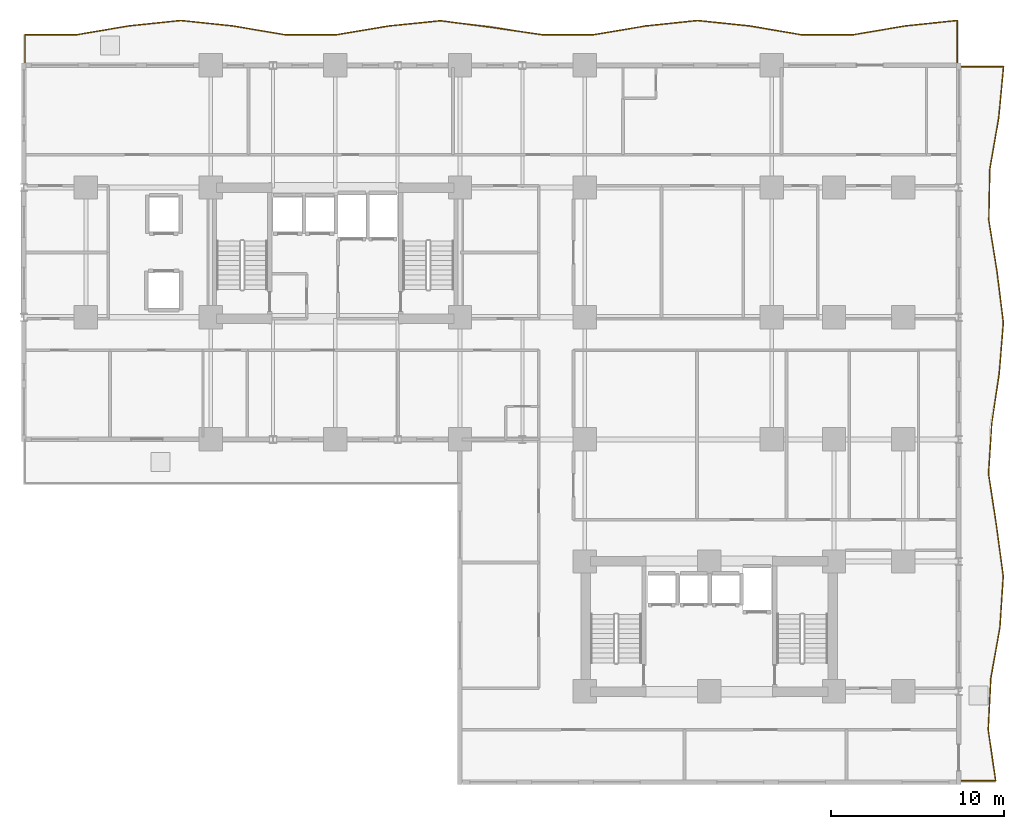
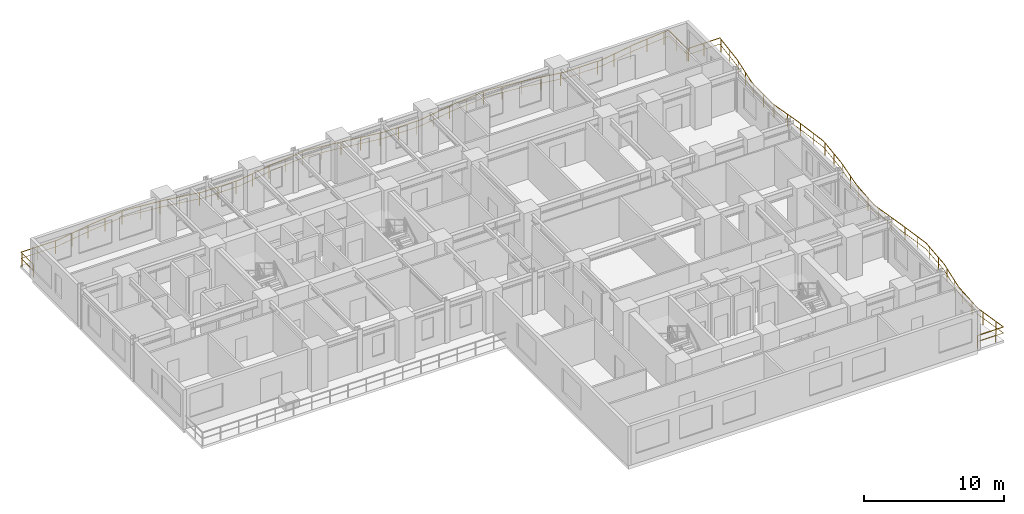
# One storey, part 11 of 11: 2 railings.
"""IFC4 building model written with IfcOpenShell, lengths in metres."""

from ifc_helpers import new_model, si_unit, direction, frame, origin, origin_2d, place, context, subcontext, project, spatial, rectangle, extrude, material, type_object, element, save


model = new_model("IFC4")

# Units and contexts
model_context = context("Model", 3, precision=1e-05, world=origin(), true_north=direction((0.0, 1.0)))
body_context = subcontext(model_context, "Body", "Model", "MODEL_VIEW")
ifc_project = project(units=[si_unit("LENGTHUNIT", "METRE"), si_unit("AREAUNIT", "SQUARE_METRE"), si_unit("VOLUMEUNIT", "CUBIC_METRE"), si_unit("PLANEANGLEUNIT", "RADIAN"), si_unit("MASSUNIT", "GRAM", prefix="KILO")], contexts=[model_context])

# Site, building, storey
site_placement = place(None, origin())
site = spatial("IfcSite", under=ifc_project, at=site_placement, CompositionType="ELEMENT")
building_placement = place(site_placement, origin())
building = spatial("IfcBuilding", under=site, at=building_placement, Name="Kaliganga Portal Commons", CompositionType="ELEMENT")
storey_placement = place(building_placement, frame((0.0, 0.0, 25.300048828125)))
storey = spatial("IfcBuildingStorey", under=building, at=storey_placement, Name="L05", CompositionType="ELEMENT", Elevation=25.300048828125)

# Railings
ifc_material = material(Name="Laminated Safety Glass and Stainless Steel 316", Category="steel")
railing_type = type_object("IfcRailingType", Name="RLG-BAL-1150", PredefinedType="BALUSTRADE", material=ifc_material)
railing_1_placement = place(storey_placement, frame((57.520263671875, 43.205810546875, 0.0)))
element("IfcRailing", 1, at=railing_1_placement, inside=storey, type_object=railing_type, Name="Balcony Guardrail L05 balc_north", PredefinedType="BALUSTRADE", context=body_context, shape_type="SweptSolid", body=[
    extrude(rectangle(XDim=0.048095703125, YDim=0.048095703125, at=origin_2d()), frame((0.0, 0.0, 1.1259765625), z_axis=(-9.4179694e-05, 0.999999995565, 0.0), x_axis=(-0.999999995565, -9.4179694e-05, 0.0)), (0.0, 0.0, 1.0), 2.59228515625),
    extrude(rectangle(XDim=0.028076171875, YDim=0.028076171875, at=origin_2d()), frame((0.0, 0.0, 0.597900390625), z_axis=(-9.4179694e-05, 0.999999995565, 0.0), x_axis=(-0.999999995565, -9.4179694e-05, 0.0)), (0.0, 0.0, 1.0), 2.59228515625),
    extrude(rectangle(XDim=0.048095703125, YDim=0.048095703125, at=origin_2d()), frame((-0.000244140625, 2.59228515625, 1.1259765625), z_axis=(-0.994534683851, -0.104406717299, 0.0), x_axis=(0.104406717299, -0.994534683851, 0.0)), (0.0, 0.0, 1.0), 3.0166015625),
    extrude(rectangle(XDim=0.028076171875, YDim=0.028076171875, at=origin_2d()), frame((-0.000244140625, 2.59228515625, 0.597900390625), z_axis=(-0.994534683851, -0.104406717299, 0.0), x_axis=(0.104406717299, -0.994534683851, 0.0)), (0.0, 0.0, 1.0), 3.0166015625),
    extrude(rectangle(XDim=0.048095703125, YDim=0.048095703125, at=origin_2d()), frame((-3.000244140625, 2.27734375, 1.1259765625), z_axis=(-0.98592152425, -0.167208696007, 0.0), x_axis=(0.167208696007, -0.98592152425, 0.0)), (0.0, 0.0, 1.0), 3.042724609375),
    extrude(rectangle(XDim=0.028076171875, YDim=0.028076171875, at=origin_2d()), frame((-3.000244140625, 2.27734375, 0.597900390625), z_axis=(-0.98592152425, -0.167208696007, 0.0), x_axis=(0.167208696007, -0.98592152425, 0.0)), (0.0, 0.0, 1.0), 3.042724609375),
    extrude(rectangle(XDim=0.048095703125, YDim=0.048095703125, at=origin_2d()), frame((-6.000244140625, 1.7685546875, 1.1259765625), z_axis=(-1.0, 0.0, 0.0), x_axis=(0.0, -1.0, 0.0)), (0.0, 0.0, 1.0), 3.0),
    extrude(rectangle(XDim=0.028076171875, YDim=0.028076171875, at=origin_2d()), frame((-6.000244140625, 1.7685546875, 0.597900390625), z_axis=(-1.0, 0.0, 0.0), x_axis=(0.0, -1.0, 0.0)), (0.0, 0.0, 1.0), 3.0),
    extrude(rectangle(XDim=0.048095703125, YDim=0.048095703125, at=origin_2d()), frame((-9.000244140625, 1.7685546875, 1.1259765625), z_axis=(-0.985961179172, 0.166974708159, 0.0), x_axis=(-0.166974708159, -0.985961179172, 0.0)), (0.0, 0.0, 1.0), 3.042724609375),
    extrude(rectangle(XDim=0.028076171875, YDim=0.028076171875, at=origin_2d()), frame((-9.000244140625, 1.7685546875, 0.597900390625), z_axis=(-0.985961179172, 0.166974708159, 0.0), x_axis=(-0.166974708159, -0.985961179172, 0.0)), (0.0, 0.0, 1.0), 3.042724609375),
    extrude(rectangle(XDim=0.048095703125, YDim=0.048095703125, at=origin_2d()), frame((-12.000244140625, 2.276611328125, 1.1259765625), z_axis=(-0.994593357576, 0.103846295391, 0.0), x_axis=(-0.103846295391, -0.994593357576, 0.0)), (0.0, 0.0, 1.0), 3.016357421875),
    extrude(rectangle(XDim=0.028076171875, YDim=0.028076171875, at=origin_2d()), frame((-12.000244140625, 2.276611328125, 0.597900390625), z_axis=(-0.994593357576, 0.103846295391, 0.0), x_axis=(-0.103846295391, -0.994593357576, 0.0)), (0.0, 0.0, 1.0), 3.016357421875),
    extrude(rectangle(XDim=0.048095703125, YDim=0.048095703125, at=origin_2d()), frame((-15.000244140625, 2.58984375, 1.1259765625), z_axis=(-0.994551479288, -0.104246606879, 0.0), x_axis=(0.104246606879, -0.994551479288, 0.0)), (0.0, 0.0, 1.0), 3.016357421875),
    extrude(rectangle(XDim=0.028076171875, YDim=0.028076171875, at=origin_2d()), frame((-15.000244140625, 2.58984375, 0.597900390625), z_axis=(-0.994551479288, -0.104246606879, 0.0), x_axis=(0.104246606879, -0.994551479288, 0.0)), (0.0, 0.0, 1.0), 3.016357421875),
    extrude(rectangle(XDim=0.048095703125, YDim=0.048095703125, at=origin_2d()), frame((-18.000244140625, 2.275390625, 1.1259765625), z_axis=(-0.986106132513, -0.166116511581, 0.0), x_axis=(0.166116511581, -0.986106132513, 0.0)), (0.0, 0.0, 1.0), 3.042236328125),
    extrude(rectangle(XDim=0.028076171875, YDim=0.028076171875, at=origin_2d()), frame((-18.000244140625, 2.275390625, 0.597900390625), z_axis=(-0.986106132513, -0.166116511581, 0.0), x_axis=(0.166116511581, -0.986106132513, 0.0)), (0.0, 0.0, 1.0), 3.042236328125),
    extrude(rectangle(XDim=0.048095703125, YDim=0.048095703125, at=origin_2d()), frame((-21.000244140625, 1.77001953125, 1.1259765625), z_axis=(-0.999999788072, 0.000651041529, 0.0), x_axis=(-0.000651041529, -0.999999788072, 0.0)), (0.0, 0.0, 1.0), 3.0),
    extrude(rectangle(XDim=0.028076171875, YDim=0.028076171875, at=origin_2d()), frame((-21.000244140625, 1.77001953125, 0.597900390625), z_axis=(-0.999999788072, 0.000651041529, 0.0), x_axis=(-0.000651041529, -0.999999788072, 0.0)), (0.0, 0.0, 1.0), 3.0),
    extrude(rectangle(XDim=0.048095703125, YDim=0.048095703125, at=origin_2d()), frame((-24.000244140625, 1.77197265625, 1.1259765625), z_axis=(-0.989499481074, 0.144536420856, 0.0), x_axis=(-0.144536420856, -0.989499481074, 0.0)), (0.0, 0.0, 1.0), 2.950927734375),
    extrude(rectangle(XDim=0.028076171875, YDim=0.028076171875, at=origin_2d()), frame((-24.000244140625, 1.77197265625, 0.597900390625), z_axis=(-0.989499481074, 0.144536420856, 0.0), x_axis=(-0.144536420856, -0.989499481074, 0.0)), (0.0, 0.0, 1.0), 2.950927734375),
    extrude(rectangle(XDim=0.048095703125, YDim=0.048095703125, at=origin_2d()), frame((-26.920166015625, 2.198486328125, 1.1259765625), z_axis=(-0.991718734867, 0.128428777596, 0.0), x_axis=(-0.128428777596, -0.991718734867, 0.0)), (0.0, 0.0, 1.0), 2.946533203125),
    extrude(rectangle(XDim=0.028076171875, YDim=0.028076171875, at=origin_2d()), frame((-26.920166015625, 2.198486328125, 0.597900390625), z_axis=(-0.991718734867, 0.128428777596, 0.0), x_axis=(-0.128428777596, -0.991718734867, 0.0)), (0.0, 0.0, 1.0), 2.946533203125),
    extrude(rectangle(XDim=0.048095703125, YDim=0.048095703125, at=origin_2d()), frame((-29.84228515625, 2.576904296875, 1.1259765625), z_axis=(-0.994932359865, -0.100546503143, 0.0), x_axis=(0.100546503143, -0.994932359865, 0.0)), (0.0, 0.0, 1.0), 3.013427734375),
    extrude(rectangle(XDim=0.028076171875, YDim=0.028076171875, at=origin_2d()), frame((-29.84228515625, 2.576904296875, 0.597900390625), z_axis=(-0.994932359865, -0.100546503143, 0.0), x_axis=(0.100546503143, -0.994932359865, 0.0)), (0.0, 0.0, 1.0), 3.013427734375),
    extrude(rectangle(XDim=0.048095703125, YDim=0.048095703125, at=origin_2d()), frame((-32.84033203125, 2.27392578125, 1.1259765625), z_axis=(-0.986145542963, -0.165882392359, 0.0), x_axis=(0.165882392359, -0.986145542963, 0.0)), (0.0, 0.0, 1.0), 3.042236328125),
    extrude(rectangle(XDim=0.028076171875, YDim=0.028076171875, at=origin_2d()), frame((-32.84033203125, 2.27392578125, 0.597900390625), z_axis=(-0.986145542963, -0.165882392359, 0.0), x_axis=(0.165882392359, -0.986145542963, 0.0)), (0.0, 0.0, 1.0), 3.042236328125),
    extrude(rectangle(XDim=0.048095703125, YDim=0.048095703125, at=origin_2d()), frame((-35.84033203125, 1.769287109375, 1.1259765625), z_axis=(-0.999999996689, -8.1380208e-05, 0.0), x_axis=(8.1380208e-05, -0.999999996689, 0.0)), (0.0, 0.0, 1.0), 3.0),
    extrude(rectangle(XDim=0.028076171875, YDim=0.028076171875, at=origin_2d()), frame((-35.84033203125, 1.769287109375, 0.597900390625), z_axis=(-0.999999996689, -8.1380208e-05, 0.0), x_axis=(8.1380208e-05, -0.999999996689, 0.0)), (0.0, 0.0, 1.0), 3.0),
    extrude(rectangle(XDim=0.048095703125, YDim=0.048095703125, at=origin_2d()), frame((-38.84033203125, 1.76904296875, 1.1259765625), z_axis=(-0.985987586705, 0.166818700583, 0.0), x_axis=(-0.166818700583, -0.985987586705, 0.0)), (0.0, 0.0, 1.0), 3.042724609375),
    extrude(rectangle(XDim=0.028076171875, YDim=0.028076171875, at=origin_2d()), frame((-38.84033203125, 1.76904296875, 0.597900390625), z_axis=(-0.985987586705, 0.166818700583, 0.0), x_axis=(-0.166818700583, -0.985987586705, 0.0)), (0.0, 0.0, 1.0), 3.042724609375),
    extrude(rectangle(XDim=0.048095703125, YDim=0.048095703125, at=origin_2d()), frame((-41.84033203125, 2.276611328125, 1.1259765625), z_axis=(-0.994543084721, 0.104326663103, 0.0), x_axis=(-0.104326663103, -0.994543084721, 0.0)), (0.0, 0.0, 1.0), 3.016357421875),
    extrude(rectangle(XDim=0.028076171875, YDim=0.028076171875, at=origin_2d()), frame((-41.84033203125, 2.276611328125, 0.597900390625), z_axis=(-0.994543084721, 0.104326663103, 0.0), x_axis=(-0.104326663103, -0.994543084721, 0.0)), (0.0, 0.0, 1.0), 3.016357421875),
    extrude(rectangle(XDim=0.048095703125, YDim=0.048095703125, at=origin_2d()), frame((-44.84033203125, 2.59130859375, 1.1259765625), z_axis=(-0.994568249515, -0.104086488353, 0.0), x_axis=(0.104086488353, -0.994568249515, 0.0)), (0.0, 0.0, 1.0), 3.016357421875),
    extrude(rectangle(XDim=0.028076171875, YDim=0.028076171875, at=origin_2d()), frame((-44.84033203125, 2.59130859375, 0.597900390625), z_axis=(-0.994568249515, -0.104086488353, 0.0), x_axis=(0.104086488353, -0.994568249515, 0.0)), (0.0, 0.0, 1.0), 3.016357421875),
    extrude(rectangle(XDim=0.048095703125, YDim=0.048095703125, at=origin_2d()), frame((-47.84033203125, 2.27734375, 1.1259765625), z_axis=(-0.985908294312, -0.16728668568, 0.0), x_axis=(0.16728668568, -0.985908294312, 0.0)), (0.0, 0.0, 1.0), 3.04296875),
    extrude(rectangle(XDim=0.028076171875, YDim=0.028076171875, at=origin_2d()), frame((-47.84033203125, 2.27734375, 0.597900390625), z_axis=(-0.985908294312, -0.16728668568, 0.0), x_axis=(0.16728668568, -0.985908294312, 0.0)), (0.0, 0.0, 1.0), 3.04296875),
    extrude(rectangle(XDim=0.048095703125, YDim=0.048095703125, at=origin_2d()), frame((-50.84033203125, 1.768310546875, 1.1259765625), z_axis=(-1.0, 0.0, 0.0), x_axis=(0.0, -1.0, 0.0)), (0.0, 0.0, 1.0), 3.0),
    extrude(rectangle(XDim=0.028076171875, YDim=0.028076171875, at=origin_2d()), frame((-50.84033203125, 1.768310546875, 0.597900390625), z_axis=(-1.0, 0.0, 0.0), x_axis=(0.0, -1.0, 0.0)), (0.0, 0.0, 1.0), 3.0),
    extrude(rectangle(XDim=0.048095703125, YDim=0.048095703125, at=origin_2d()), frame((-53.84033203125, 1.768310546875, 1.1259765625), z_axis=(-0.000138064337, -0.999999990469, 0.0), x_axis=(0.999999990469, -0.000138064337, 0.0)), (0.0, 0.0, 1.0), 1.768310546875),
    extrude(rectangle(XDim=0.028076171875, YDim=0.028076171875, at=origin_2d()), frame((-53.84033203125, 1.768310546875, 0.597900390625), z_axis=(-0.000138064337, -0.999999990469, 0.0), x_axis=(0.999999990469, -0.000138064337, 0.0)), (0.0, 0.0, 1.0), 1.768310546875),
    extrude(rectangle(XDim=0.0419921875, YDim=0.0419921875, at=origin_2d()), origin(), (0.0, 0.0, 1.0), 1.101806640625),
    extrude(rectangle(XDim=0.0419921875, YDim=0.0419921875, at=origin_2d()), frame((-0.000244140625, 1.5, 0.0)), (0.0, 0.0, 1.0), 1.101806640625),
    extrude(rectangle(XDim=0.0419921875, YDim=0.0419921875, at=origin_2d()), frame((-0.40576171875, 2.5498046875, 0.0)), (0.0, 0.0, 1.0), 1.101806640625),
    extrude(rectangle(XDim=0.0419921875, YDim=0.0419921875, at=origin_2d()), frame((-1.8974609375, 2.39306640625, 0.0)), (0.0, 0.0, 1.0), 1.101806640625),
    extrude(rectangle(XDim=0.0419921875, YDim=0.0419921875, at=origin_2d()), frame((-3.385986328125, 2.2119140625, 0.0)), (0.0, 0.0, 1.0), 1.101806640625),
    extrude(rectangle(XDim=0.0419921875, YDim=0.0419921875, at=origin_2d()), frame((-4.86474609375, 1.961181640625, 0.0)), (0.0, 0.0, 1.0), 1.101806640625),
    extrude(rectangle(XDim=0.0419921875, YDim=0.0419921875, at=origin_2d()), frame((-6.3486328125, 1.7685546875, 0.0)), (0.0, 0.0, 1.0), 1.101806640625),
    extrude(rectangle(XDim=0.0419921875, YDim=0.0419921875, at=origin_2d()), frame((-7.8486328125, 1.7685546875, 0.0)), (0.0, 0.0, 1.0), 1.101806640625),
    extrude(rectangle(XDim=0.0419921875, YDim=0.0419921875, at=origin_2d()), frame((-9.34375, 1.82666015625, 0.0)), (0.0, 0.0, 1.0), 1.101806640625),
    extrude(rectangle(XDim=0.0419921875, YDim=0.0419921875, at=origin_2d()), frame((-10.82275390625, 2.0771484375, 0.0)), (0.0, 0.0, 1.0), 1.101806640625),
    extrude(rectangle(XDim=0.0419921875, YDim=0.0419921875, at=origin_2d()), frame((-12.30419921875, 2.308349609375, 0.0)), (0.0, 0.0, 1.0), 1.101806640625),
    extrude(rectangle(XDim=0.0419921875, YDim=0.0419921875, at=origin_2d()), frame((-13.796142578125, 2.464111328125, 0.0)), (0.0, 0.0, 1.0), 1.101806640625),
    extrude(rectangle(XDim=0.0419921875, YDim=0.0419921875, at=origin_2d()), frame((-15.2880859375, 2.5595703125, 0.0)), (0.0, 0.0, 1.0), 1.101806640625),
    extrude(rectangle(XDim=0.0419921875, YDim=0.0419921875, at=origin_2d()), frame((-16.77978515625, 2.4033203125, 0.0)), (0.0, 0.0, 1.0), 1.101806640625),
    extrude(rectangle(XDim=0.0419921875, YDim=0.0419921875, at=origin_2d()), frame((-18.269287109375, 2.22998046875, 0.0)), (0.0, 0.0, 1.0), 1.101806640625),
    extrude(rectangle(XDim=0.0419921875, YDim=0.0419921875, at=origin_2d()), frame((-19.74853515625, 1.98095703125, 0.0)), (0.0, 0.0, 1.0), 1.101806640625),
    extrude(rectangle(XDim=0.0419921875, YDim=0.0419921875, at=origin_2d()), frame((-21.23095703125, 1.770263671875, 0.0)), (0.0, 0.0, 1.0), 1.101806640625),
    extrude(rectangle(XDim=0.0419921875, YDim=0.0419921875, at=origin_2d()), frame((-22.73095703125, 1.771240234375, 0.0)), (0.0, 0.0, 1.0), 1.101806640625),
    extrude(rectangle(XDim=0.0419921875, YDim=0.0419921875, at=origin_2d()), frame((-24.228515625, 1.805419921875, 0.0)), (0.0, 0.0, 1.0), 1.101806640625),
    extrude(rectangle(XDim=0.0419921875, YDim=0.0419921875, at=origin_2d()), frame((-25.712646484375, 2.022216796875, 0.0)), (0.0, 0.0, 1.0), 1.101806640625),
    extrude(rectangle(XDim=0.0419921875, YDim=0.0419921875, at=origin_2d()), frame((-27.197509765625, 2.234375, 0.0)), (0.0, 0.0, 1.0), 1.101806640625),
    extrude(rectangle(XDim=0.0419921875, YDim=0.0419921875, at=origin_2d()), frame((-28.685302734375, 2.427001953125, 0.0)), (0.0, 0.0, 1.0), 1.101806640625),
    extrude(rectangle(XDim=0.0419921875, YDim=0.0419921875, at=origin_2d()), frame((-30.173828125, 2.54345703125, 0.0)), (0.0, 0.0, 1.0), 1.101806640625),
    extrude(rectangle(XDim=0.0419921875, YDim=0.0419921875, at=origin_2d()), frame((-31.666259765625, 2.392578125, 0.0)), (0.0, 0.0, 1.0), 1.101806640625),
    extrude(rectangle(XDim=0.0419921875, YDim=0.0419921875, at=origin_2d()), frame((-33.15576171875, 2.220947265625, 0.0)), (0.0, 0.0, 1.0), 1.101806640625),
    extrude(rectangle(XDim=0.0419921875, YDim=0.0419921875, at=origin_2d()), frame((-34.635009765625, 1.971923828125, 0.0)), (0.0, 0.0, 1.0), 1.101806640625),
    extrude(rectangle(XDim=0.0419921875, YDim=0.0419921875, at=origin_2d()), frame((-36.1181640625, 1.769287109375, 0.0)), (0.0, 0.0, 1.0), 1.101806640625),
    extrude(rectangle(XDim=0.0419921875, YDim=0.0419921875, at=origin_2d()), frame((-37.6181640625, 1.76904296875, 0.0)), (0.0, 0.0, 1.0), 1.101806640625),
    extrude(rectangle(XDim=0.0419921875, YDim=0.0419921875, at=origin_2d()), frame((-39.1142578125, 1.8154296875, 0.0)), (0.0, 0.0, 1.0), 1.101806640625),
    extrude(rectangle(XDim=0.0419921875, YDim=0.0419921875, at=origin_2d()), frame((-40.59326171875, 2.065673828125, 0.0)), (0.0, 0.0, 1.0), 1.101806640625),
    extrude(rectangle(XDim=0.0419921875, YDim=0.0419921875, at=origin_2d()), frame((-42.07421875, 2.301025390625, 0.0)), (0.0, 0.0, 1.0), 1.101806640625),
    extrude(rectangle(XDim=0.0419921875, YDim=0.0419921875, at=origin_2d()), frame((-43.56591796875, 2.45751953125, 0.0)), (0.0, 0.0, 1.0), 1.101806640625),
    extrude(rectangle(XDim=0.0419921875, YDim=0.0419921875, at=origin_2d()), frame((-45.057861328125, 2.568603515625, 0.0)), (0.0, 0.0, 1.0), 1.101806640625),
    extrude(rectangle(XDim=0.0419921875, YDim=0.0419921875, at=origin_2d()), frame((-46.549560546875, 2.412353515625, 0.0)), (0.0, 0.0, 1.0), 1.101806640625),
    extrude(rectangle(XDim=0.0419921875, YDim=0.0419921875, at=origin_2d()), frame((-48.039794921875, 2.243408203125, 0.0)), (0.0, 0.0, 1.0), 1.101806640625),
    extrude(rectangle(XDim=0.0419921875, YDim=0.0419921875, at=origin_2d()), frame((-49.5185546875, 1.99267578125, 0.0)), (0.0, 0.0, 1.0), 1.101806640625),
    extrude(rectangle(XDim=0.0419921875, YDim=0.0419921875, at=origin_2d()), frame((-50.999755859375, 1.768310546875, 0.0)), (0.0, 0.0, 1.0), 1.101806640625),
    extrude(rectangle(XDim=0.0419921875, YDim=0.0419921875, at=origin_2d()), frame((-52.499755859375, 1.768310546875, 0.0)), (0.0, 0.0, 1.0), 1.101806640625),
    extrude(rectangle(XDim=0.0419921875, YDim=0.0419921875, at=origin_2d()), frame((-53.84033203125, 1.60888671875, 0.0)), (0.0, 0.0, 1.0), 1.101806640625),
    extrude(rectangle(XDim=0.0419921875, YDim=0.0419921875, at=origin_2d()), frame((-53.840576171875, 0.0, 0.0)), (0.0, 0.0, 1.0), 1.101806640625),
])
railing_2_placement = place(storey_placement, frame((57.607421875, 1.879638671875, 0.0)))
element("IfcRailing", 2, at=railing_2_placement, inside=storey, type_object=railing_type, Name="Balcony Guardrail L05 balc_east", PredefinedType="BALUSTRADE", context=body_context, shape_type="SweptSolid", body=[
    extrude(rectangle(XDim=0.048095703125, YDim=0.048095703125, at=origin_2d()), frame((0.0, 0.0, 1.1259765625), z_axis=(0.99999999346, 0.000114364135, 0.0), x_axis=(-0.000114364135, 0.99999999346, 0.0)), (0.0, 0.0, 1.0), 2.134765625),
    extrude(rectangle(XDim=0.028076171875, YDim=0.028076171875, at=origin_2d()), frame((0.0, 0.0, 0.597900390625), z_axis=(0.99999999346, 0.000114364135, 0.0), x_axis=(-0.000114364135, 0.99999999346, 0.0)), (0.0, 0.0, 1.0), 2.134765625),
    extrude(rectangle(XDim=0.048095703125, YDim=0.048095703125, at=origin_2d()), frame((2.134765625, 0.000244140625, 1.1259765625), z_axis=(-0.143868568666, 0.989596804234, 0.0), x_axis=(-0.989596804234, -0.143868568666, 0.0)), (0.0, 0.0, 1.0), 2.98828125),
    extrude(rectangle(XDim=0.028076171875, YDim=0.028076171875, at=origin_2d()), frame((2.134765625, 0.000244140625, 0.597900390625), z_axis=(-0.143868568666, 0.989596804234, 0.0), x_axis=(-0.989596804234, -0.143868568666, 0.0)), (0.0, 0.0, 1.0), 2.98828125),
    extrude(rectangle(XDim=0.048095703125, YDim=0.048095703125, at=origin_2d()), frame((1.704833984375, 2.95751953125, 1.1259765625), z_axis=(0.050546269366, 0.998721720327, 0.0), x_axis=(-0.998721720327, 0.050546269366, 0.0)), (0.0, 0.0, 1.0), 2.9609375),
    extrude(rectangle(XDim=0.028076171875, YDim=0.028076171875, at=origin_2d()), frame((1.704833984375, 2.95751953125, 0.597900390625), z_axis=(0.050546269366, 0.998721720327, 0.0), x_axis=(-0.998721720327, 0.050546269366, 0.0)), (0.0, 0.0, 1.0), 2.9609375),
    extrude(rectangle(XDim=0.048095703125, YDim=0.048095703125, at=origin_2d()), frame((1.8544921875, 5.91455078125, 1.1259765625), z_axis=(0.175171663426, 0.984537905991, 0.0), x_axis=(-0.984537905991, 0.175171663426, 0.0)), (0.0, 0.0, 1.0), 3.00341796875),
    extrude(rectangle(XDim=0.028076171875, YDim=0.028076171875, at=origin_2d()), frame((1.8544921875, 5.91455078125, 0.597900390625), z_axis=(0.175171663426, 0.984537905991, 0.0), x_axis=(-0.984537905991, 0.175171663426, 0.0)), (0.0, 0.0, 1.0), 3.00341796875),
    extrude(rectangle(XDim=0.048095703125, YDim=0.048095703125, at=origin_2d()), frame((2.380615234375, 8.87158203125, 1.1259765625), z_axis=(0.064916854042, 0.997890676408, 0.0), x_axis=(-0.997890676408, 0.064916854042, 0.0)), (0.0, 0.0, 1.0), 2.963623046875),
    extrude(rectangle(XDim=0.028076171875, YDim=0.028076171875, at=origin_2d()), frame((2.380615234375, 8.87158203125, 0.597900390625), z_axis=(0.064916854042, 0.997890676408, 0.0), x_axis=(-0.997890676408, 0.064916854042, 0.0)), (0.0, 0.0, 1.0), 2.963623046875),
    extrude(rectangle(XDim=0.048095703125, YDim=0.048095703125, at=origin_2d()), frame((2.572998046875, 11.828857421875, 1.1259765625), z_axis=(-0.134098137794, 0.99096805672, 0.0), x_axis=(-0.99096805672, -0.134098137794, 0.0)), (0.0, 0.0, 1.0), 2.98388671875),
    extrude(rectangle(XDim=0.028076171875, YDim=0.028076171875, at=origin_2d()), frame((2.572998046875, 11.828857421875, 0.597900390625), z_axis=(-0.134098137794, 0.99096805672, 0.0), x_axis=(-0.99096805672, -0.134098137794, 0.0)), (0.0, 0.0, 1.0), 2.98388671875),
    extrude(rectangle(XDim=0.048095703125, YDim=0.048095703125, at=origin_2d()), frame((2.1728515625, 14.785888671875, 1.1259765625), z_axis=(-0.150259907595, 0.988646529438, 0.0), x_axis=(-0.988646529438, -0.150259907595, 0.0)), (0.0, 0.0, 1.0), 2.9912109375),
    extrude(rectangle(XDim=0.028076171875, YDim=0.028076171875, at=origin_2d()), frame((2.1728515625, 14.785888671875, 0.597900390625), z_axis=(-0.150259907595, 0.988646529438, 0.0), x_axis=(-0.988646529438, -0.150259907595, 0.0)), (0.0, 0.0, 1.0), 2.9912109375),
    extrude(rectangle(XDim=0.048095703125, YDim=0.048095703125, at=origin_2d()), frame((1.723388671875, 17.7431640625, 1.1259765625), z_axis=(0.062330834088, 0.998055543105, 0.0), x_axis=(-0.998055543105, 0.062330834088, 0.0)), (0.0, 0.0, 1.0), 2.8828125),
    extrude(rectangle(XDim=0.028076171875, YDim=0.028076171875, at=origin_2d()), frame((1.723388671875, 17.7431640625, 0.597900390625), z_axis=(0.062330834088, 0.998055543105, 0.0), x_axis=(-0.998055543105, 0.062330834088, 0.0)), (0.0, 0.0, 1.0), 2.8828125),
    extrude(rectangle(XDim=0.048095703125, YDim=0.048095703125, at=origin_2d()), frame((1.903076171875, 20.620361328125, 1.1259765625), z_axis=(0.148803932567, 0.988866719863, 0.0), x_axis=(-0.988866719863, 0.148803932567, 0.0)), (0.0, 0.0, 1.0), 2.91064453125),
    extrude(rectangle(XDim=0.028076171875, YDim=0.028076171875, at=origin_2d()), frame((1.903076171875, 20.620361328125, 0.597900390625), z_axis=(0.148803932567, 0.988866719863, 0.0), x_axis=(-0.988866719863, 0.148803932567, 0.0)), (0.0, 0.0, 1.0), 2.91064453125),
    extrude(rectangle(XDim=0.048095703125, YDim=0.048095703125, at=origin_2d()), frame((2.336181640625, 23.49853515625, 1.1259765625), z_axis=(0.081472121604, 0.996675620953, 0.0), x_axis=(-0.996675620953, 0.081472121604, 0.0)), (0.0, 0.0, 1.0), 2.966552734375),
    extrude(rectangle(XDim=0.028076171875, YDim=0.028076171875, at=origin_2d()), frame((2.336181640625, 23.49853515625, 0.597900390625), z_axis=(0.081472121604, 0.996675620953, 0.0), x_axis=(-0.996675620953, 0.081472121604, 0.0)), (0.0, 0.0, 1.0), 2.966552734375),
    extrude(rectangle(XDim=0.048095703125, YDim=0.048095703125, at=origin_2d()), frame((2.577880859375, 26.455322265625, 1.1259765625), z_axis=(-0.122037201444, 0.992525526857, 0.0), x_axis=(-0.992525526857, -0.122037201444, 0.0)), (0.0, 0.0, 1.0), 2.978759765625),
    extrude(rectangle(XDim=0.028076171875, YDim=0.028076171875, at=origin_2d()), frame((2.577880859375, 26.455322265625, 0.597900390625), z_axis=(-0.122037201444, 0.992525526857, 0.0), x_axis=(-0.992525526857, -0.122037201444, 0.0)), (0.0, 0.0, 1.0), 2.978759765625),
    extrude(rectangle(XDim=0.048095703125, YDim=0.048095703125, at=origin_2d()), frame((2.21435546875, 29.411865234375, 1.1259765625), z_axis=(-0.158871070822, 0.98729933802, 0.0), x_axis=(-0.98729933802, -0.158871070822, 0.0)), (0.0, 0.0, 1.0), 2.9951171875),
    extrude(rectangle(XDim=0.028076171875, YDim=0.028076171875, at=origin_2d()), frame((2.21435546875, 29.411865234375, 0.597900390625), z_axis=(-0.158871070822, 0.98729933802, 0.0), x_axis=(-0.98729933802, -0.158871070822, 0.0)), (0.0, 0.0, 1.0), 2.9951171875),
    extrude(rectangle(XDim=0.048095703125, YDim=0.048095703125, at=origin_2d()), frame((1.738525390625, 32.368896484375, 1.1259765625), z_axis=(0.019149464102, 0.9998166322, 0.0), x_axis=(-0.9998166322, 0.019149464102, 0.0)), (0.0, 0.0, 1.0), 2.957763671875),
    extrude(rectangle(XDim=0.028076171875, YDim=0.028076171875, at=origin_2d()), frame((1.738525390625, 32.368896484375, 0.597900390625), z_axis=(0.019149464102, 0.9998166322, 0.0), x_axis=(-0.9998166322, 0.019149464102, 0.0)), (0.0, 0.0, 1.0), 2.957763671875),
    extrude(rectangle(XDim=0.048095703125, YDim=0.048095703125, at=origin_2d()), frame((1.795166015625, 35.326171875, 1.1259765625), z_axis=(0.17138580027, 0.985203992819, 0.0), x_axis=(-0.985203992819, 0.17138580027, 0.0)), (0.0, 0.0, 1.0), 3.00146484375),
    extrude(rectangle(XDim=0.028076171875, YDim=0.028076171875, at=origin_2d()), frame((1.795166015625, 35.326171875, 0.597900390625), z_axis=(0.17138580027, 0.985203992819, 0.0), x_axis=(-0.985203992819, 0.17138580027, 0.0)), (0.0, 0.0, 1.0), 3.00146484375),
    extrude(rectangle(XDim=0.048095703125, YDim=0.048095703125, at=origin_2d()), frame((2.3095703125, 38.283203125, 1.1259765625), z_axis=(0.094025578344, 0.995569781892, 0.0), x_axis=(-0.995569781892, 0.094025578344, 0.0)), (0.0, 0.0, 1.0), 2.970458984375),
    extrude(rectangle(XDim=0.028076171875, YDim=0.028076171875, at=origin_2d()), frame((2.3095703125, 38.283203125, 0.597900390625), z_axis=(0.094025578344, 0.995569781892, 0.0), x_axis=(-0.995569781892, 0.094025578344, 0.0)), (0.0, 0.0, 1.0), 2.970458984375),
    extrude(rectangle(XDim=0.048095703125, YDim=0.048095703125, at=origin_2d()), frame((2.5888671875, 41.240478515625, 1.1259765625), z_axis=(-0.999999995553, 9.4304036e-05, 0.0), x_axis=(-9.4304036e-05, -0.999999995553, 0.0)), (0.0, 0.0, 1.0), 2.5888671875),
    extrude(rectangle(XDim=0.028076171875, YDim=0.028076171875, at=origin_2d()), frame((2.5888671875, 41.240478515625, 0.597900390625), z_axis=(-0.999999995553, 9.4304036e-05, 0.0), x_axis=(-9.4304036e-05, -0.999999995553, 0.0)), (0.0, 0.0, 1.0), 2.5888671875),
    extrude(rectangle(XDim=0.0419921875, YDim=0.0419921875, at=origin_2d()), origin(), (0.0, 0.0, 1.0), 1.101806640625),
    extrude(rectangle(XDim=0.0419921875, YDim=0.0419921875, at=origin_2d()), frame((1.5, 0.000244140625, 0.0)), (0.0, 0.0, 1.0), 1.101806640625),
    extrude(rectangle(XDim=0.0419921875, YDim=0.0419921875, at=origin_2d()), frame((2.01025390625, 0.8564453125, 0.0)), (0.0, 0.0, 1.0), 1.101806640625),
    extrude(rectangle(XDim=0.0419921875, YDim=0.0419921875, at=origin_2d()), frame((1.79443359375, 2.3408203125, 0.0)), (0.0, 0.0, 1.0), 1.101806640625),
    extrude(rectangle(XDim=0.0419921875, YDim=0.0419921875, at=origin_2d()), frame((1.749267578125, 3.833251953125, 0.0)), (0.0, 0.0, 1.0), 1.101806640625),
    extrude(rectangle(XDim=0.0419921875, YDim=0.0419921875, at=origin_2d()), frame((1.824951171875, 5.331298828125, 0.0)), (0.0, 0.0, 1.0), 1.101806640625),
    extrude(rectangle(XDim=0.0419921875, YDim=0.0419921875, at=origin_2d()), frame((2.014892578125, 6.81640625, 0.0)), (0.0, 0.0, 1.0), 1.101806640625),
    extrude(rectangle(XDim=0.0419921875, YDim=0.0419921875, at=origin_2d()), frame((2.27783203125, 8.293212890625, 0.0)), (0.0, 0.0, 1.0), 1.101806640625),
    extrude(rectangle(XDim=0.0419921875, YDim=0.0419921875, at=origin_2d()), frame((2.43994140625, 9.7822265625, 0.0)), (0.0, 0.0, 1.0), 1.101806640625),
    extrude(rectangle(XDim=0.0419921875, YDim=0.0419921875, at=origin_2d()), frame((2.537353515625, 11.279052734375, 0.0)), (0.0, 0.0, 1.0), 1.101806640625),
    extrude(rectangle(XDim=0.0419921875, YDim=0.0419921875, at=origin_2d()), frame((2.44580078125, 12.769287109375, 0.0)), (0.0, 0.0, 1.0), 1.101806640625),
    extrude(rectangle(XDim=0.0419921875, YDim=0.0419921875, at=origin_2d()), frame((2.24462890625, 14.255859375, 0.0)), (0.0, 0.0, 1.0), 1.101806640625),
    extrude(rectangle(XDim=0.0419921875, YDim=0.0419921875, at=origin_2d()), frame((2.02783203125, 15.739990234375, 0.0)), (0.0, 0.0, 1.0), 1.101806640625),
    extrude(rectangle(XDim=0.0419921875, YDim=0.0419921875, at=origin_2d()), frame((1.802490234375, 17.222900390625, 0.0)), (0.0, 0.0, 1.0), 1.101806640625),
    extrude(rectangle(XDim=0.0419921875, YDim=0.0419921875, at=origin_2d()), frame((1.7841796875, 18.715087890625, 0.0)), (0.0, 0.0, 1.0), 1.101806640625),
    extrude(rectangle(XDim=0.0419921875, YDim=0.0419921875, at=origin_2d()), frame((1.877685546875, 20.212158203125, 0.0)), (0.0, 0.0, 1.0), 1.101806640625),
    extrude(rectangle(XDim=0.0419921875, YDim=0.0419921875, at=origin_2d()), frame((2.0654296875, 21.69921875, 0.0)), (0.0, 0.0, 1.0), 1.101806640625),
    extrude(rectangle(XDim=0.0419921875, YDim=0.0419921875, at=origin_2d()), frame((2.28857421875, 23.1826171875, 0.0)), (0.0, 0.0, 1.0), 1.101806640625),
    extrude(rectangle(XDim=0.0419921875, YDim=0.0419921875, at=origin_2d()), frame((2.432373046875, 24.675048828125, 0.0)), (0.0, 0.0, 1.0), 1.101806640625),
    extrude(rectangle(XDim=0.0419921875, YDim=0.0419921875, at=origin_2d()), frame((2.554443359375, 26.170166015625, 0.0)), (0.0, 0.0, 1.0), 1.101806640625),
    extrude(rectangle(XDim=0.0419921875, YDim=0.0419921875, at=origin_2d()), frame((2.4296875, 27.66015625, 0.0)), (0.0, 0.0, 1.0), 1.101806640625),
    extrude(rectangle(XDim=0.0419921875, YDim=0.0419921875, at=origin_2d()), frame((2.24658203125, 29.14892578125, 0.0)), (0.0, 0.0, 1.0), 1.101806640625),
    extrude(rectangle(XDim=0.0419921875, YDim=0.0419921875, at=origin_2d()), frame((2.01806640625, 30.631103515625, 0.0)), (0.0, 0.0, 1.0), 1.101806640625),
    extrude(rectangle(XDim=0.0419921875, YDim=0.0419921875, at=origin_2d()), frame((1.77978515625, 32.112060546875, 0.0)), (0.0, 0.0, 1.0), 1.101806640625),
    extrude(rectangle(XDim=0.0419921875, YDim=0.0419921875, at=origin_2d()), frame((1.76220703125, 33.608642578125, 0.0)), (0.0, 0.0, 1.0), 1.101806640625),
    extrude(rectangle(XDim=0.0419921875, YDim=0.0419921875, at=origin_2d()), frame((1.791015625, 35.1083984375, 0.0)), (0.0, 0.0, 1.0), 1.101806640625),
    extrude(rectangle(XDim=0.0419921875, YDim=0.0419921875, at=origin_2d()), frame((2.014892578125, 36.58935546875, 0.0)), (0.0, 0.0, 1.0), 1.101806640625),
    extrude(rectangle(XDim=0.0419921875, YDim=0.0419921875, at=origin_2d()), frame((2.27197265625, 38.067138671875, 0.0)), (0.0, 0.0, 1.0), 1.101806640625),
    extrude(rectangle(XDim=0.0419921875, YDim=0.0419921875, at=origin_2d()), frame((2.429931640625, 39.55810546875, 0.0)), (0.0, 0.0, 1.0), 1.101806640625),
    extrude(rectangle(XDim=0.0419921875, YDim=0.0419921875, at=origin_2d()), frame((2.571044921875, 41.051513671875, 0.0)), (0.0, 0.0, 1.0), 1.101806640625),
    extrude(rectangle(XDim=0.0419921875, YDim=0.0419921875, at=origin_2d()), frame((1.278564453125, 41.24072265625, 0.0)), (0.0, 0.0, 1.0), 1.101806640625),
    extrude(rectangle(XDim=0.0419921875, YDim=0.0419921875, at=origin_2d()), frame((0.0, 41.24072265625, 0.0)), (0.0, 0.0, 1.0), 1.101806640625),
])

save(model, "model.ifc")
